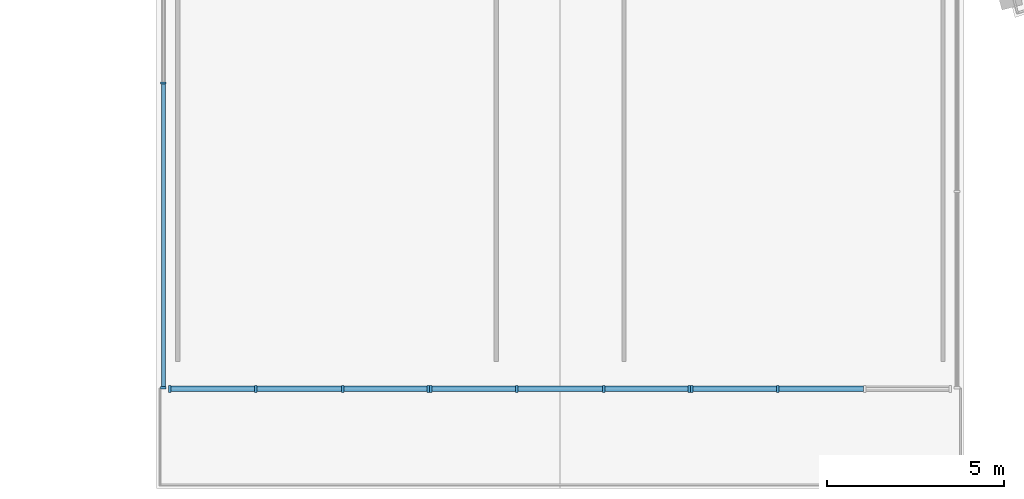
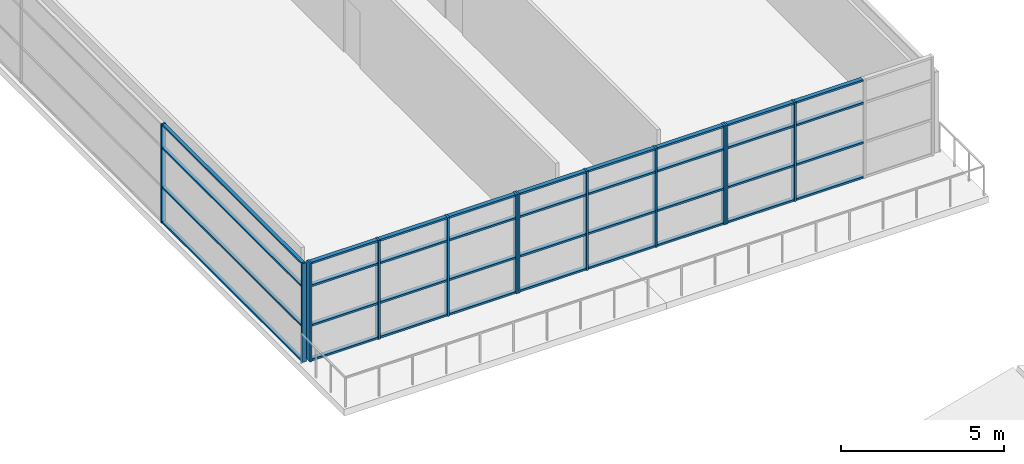
# One storey, part 11 of 83: 48 members, 4 elements without a shape of their own.
"""IFC4 building model written with IfcOpenShell, lengths in metres."""

import ifcopenshell
import ifcopenshell.guid

model = None  # the IFC model being written
_history = None  # IfcOwnerHistory: only IFC2X3 demands one
_inside = {}  # id of a spatial element -> (the spatial element, [elements in it])
_under = {}  # id of a project, library or spatial element -> (it, [spatial elements below it])
_declared = {}  # id of a project -> (the project, [libraries it declares])
_typed = {}  # id of a type object -> (the type object, [elements of that type])
_made_of = {}  # id of a material, layer set ... -> (it, [elements and type objects made of it])


def new_model(schema):
    """Start an empty IFC model of exactly this schema.

    Asked for "IFC4X3", IfcOpenShell would pick the latest addendum, in which some entities
    have other attributes; the version numbers below select the first issue.
    IFC2X3 requires an IfcOwnerHistory on every rooted entity: one is made here for all.
    """
    global model, _history
    if schema == "IFC4X3":
        model = ifcopenshell.file(schema_version=(4, 3, 0, 0))
    else:
        model = ifcopenshell.file(schema=schema)
    _inside.clear()
    _under.clear()
    _declared.clear()
    _typed.clear()
    _made_of.clear()
    _history = None
    if model.schema == "IFC2X3":
        org = make("IfcOrganization", Name="unknown")
        user = make(
            "IfcPersonAndOrganization",
            ThePerson=make("IfcPerson", FamilyName="unknown"),
            TheOrganization=org,
        )
        app = make(
            "IfcApplication",
            ApplicationDeveloper=org,
            Version="unknown",
            ApplicationFullName="unknown",
            ApplicationIdentifier="unknown",
        )
        _history = make(
            "IfcOwnerHistory",
            OwningUser=user,
            OwningApplication=app,
            ChangeAction="ADDED",
            CreationDate=0,
        )
    return model


def make(cls, **values):
    """One entity of the class cls with the attributes given. An attribute that is None is left unset."""
    return model.create_entity(
        cls, **{name: value for name, value in values.items() if value is not None}
    )


def rooted(cls, **values):
    """An entity with a GlobalId (a new one), such as an element, a storey or a relation."""
    return make(cls, GlobalId=ifcopenshell.guid.new(), OwnerHistory=_history, **values)


def si_unit(unit_type, name, prefix=None):
    """IfcSIUnit, for example si_unit("LENGTHUNIT", "METRE", prefix="MILLI")."""
    return make("IfcSIUnit", UnitType=unit_type, Prefix=prefix, Name=name)


def assignment(units):
    """IfcUnitAssignment: the units of a project."""
    return None if units is None else make("IfcUnitAssignment", Units=units)


def point(xyz):
    """IfcCartesianPoint."""
    return None if xyz is None else make("IfcCartesianPoint", Coordinates=xyz)


def direction(xyz):
    """IfcDirection."""
    return None if xyz is None else make("IfcDirection", DirectionRatios=xyz)


def frame(location, z_axis=None, x_axis=None):
    """IfcAxis2Placement3D, a coordinate frame: its origin and axes. An axis left out is left unset."""
    return make(
        "IfcAxis2Placement3D",
        Location=point(location),
        Axis=direction(z_axis),
        RefDirection=direction(x_axis),
    )


def frame_2d(location, x_axis=None):
    """IfcAxis2Placement2D, a coordinate frame in the plane: its origin and x axis."""
    return make(
        "IfcAxis2Placement2D", Location=point(location), RefDirection=direction(x_axis)
    )


def origin():
    """The frame at (0, 0, 0) with its axes left unset."""
    return frame((0.0, 0.0, 0.0))


def origin_2d():
    """The frame at (0, 0) in the plane with its x axis left unset."""
    return frame_2d((0.0, 0.0))


def place(relative_to, where):
    """IfcLocalPlacement: puts the frame where relative to a parent placement (None: the world)."""
    return make(
        "IfcLocalPlacement", PlacementRelTo=relative_to, RelativePlacement=where
    )


def context(
    kind, dimensions, precision=None, world=None, true_north=None, identifier=None
):
    """IfcGeometricRepresentationContext, for example the 3D "Model" context."""
    return make(
        "IfcGeometricRepresentationContext",
        ContextIdentifier=identifier,
        ContextType=kind,
        CoordinateSpaceDimension=dimensions,
        Precision=precision,
        WorldCoordinateSystem=world,
        TrueNorth=true_north,
    )


def subcontext(parent, identifier, kind, view, scale=None):
    """IfcGeometricRepresentationSubContext, for example "Body" below "Model"."""
    return make(
        "IfcGeometricRepresentationSubContext",
        ContextIdentifier=identifier,
        ContextType=kind,
        ParentContext=parent,
        TargetScale=scale,
        TargetView=view,
    )


def project(units=None, contexts=None):
    """IfcProject with its units and contexts."""
    return rooted(
        "IfcProject",
        Name="project",
        RepresentationContexts=contexts,
        UnitsInContext=assignment(units),
    )


def spatial(cls, under=None, at=None, **own):
    """A site, building, storey or space (cls), placed at a placement, below another one or the project."""
    s = rooted(cls, ObjectPlacement=at, **own)
    if under is not None:
        _under.setdefault(under.id(), (under, []))[1].append(s)
    return s


def profile(cls, at=None, kind="AREA", **sizes):
    """A parametric profile (cls). Its sizes go by their IFC names, for example OverallWidth=200.0."""
    return make(cls, ProfileType=kind, Position=at, **sizes)


def rectangle(**sizes):
    """IfcRectangleProfileDef."""
    return profile("IfcRectangleProfileDef", **sizes)


def extrude(swept, where, along, depth):
    """IfcExtrudedAreaSolid: the profile swept, set in the frame where, extruded along a direction by depth."""
    return make(
        "IfcExtrudedAreaSolid",
        SweptArea=swept,
        Position=where,
        ExtrudedDirection=direction(along),
        Depth=depth,
    )


def shape(context_of_items, identifier, shape_type, items):
    """IfcShapeRepresentation: the items that make up one representation, for example the "Body"."""
    return make(
        "IfcShapeRepresentation",
        ContextOfItems=context_of_items,
        RepresentationIdentifier=identifier,
        RepresentationType=shape_type,
        Items=items,
    )


def material(Name=None, Category=None):
    """IfcMaterial."""
    return make("IfcMaterial", Name=Name, Category=Category)


def material_profile(
    of_material, cross_section, Name=None, Category=None, Priority=None
):
    """IfcMaterialProfile: a cross section and its material."""
    return make(
        "IfcMaterialProfile",
        Name=Name,
        Material=of_material,
        Profile=cross_section,
        Priority=Priority,
        Category=Category,
    )


def profile_set(profiles, Name=None, composite=None):
    """IfcMaterialProfileSet."""
    return make(
        "IfcMaterialProfileSet",
        Name=Name,
        MaterialProfiles=profiles,
        CompositeProfile=composite,
    )


def made_of(thing, what):
    """Note that an element or type object is made of a material, layer set ...; save() writes the relation."""
    if what is not None:
        _made_of.setdefault(what.id(), (what, []))[1].append(thing)
    return thing


def type_object(cls, material=None, **own):
    """A type object (cls), such as IfcWallType, which elements share."""
    return made_of(rooted(cls, **own), material)


def element(
    cls,
    number,
    at=None,
    inside=None,
    cuts=None,
    type_object=None,
    material=None,
    context=None,
    identifier="Body",
    shape_type=None,
    held_by="IfcProductDefinitionShape",
    body=None,
    shapes=None,
    **own,
):
    """One element of the class cls, such as IfcWall. Its Tag is "e" and its number.

    at: its placement. inside: the storey or other place that contains it. cuts: it is an
    opening in that element (IfcRelVoidsElement). A single representation is given by context,
    identifier, shape_type and body (its items); several are given by shapes. held_by: the class
    of the entity that holds the representations. save() writes the other relations.
    """
    e = rooted(cls, Tag="e%d" % number, ObjectPlacement=at, **own)
    if body is not None:
        shapes = [shape(context, identifier, shape_type, body)]
    if shapes is not None:
        e.Representation = make(held_by, Representations=shapes)
    if inside is not None:
        _inside.setdefault(inside.id(), (inside, []))[1].append(e)
    if cuts is not None:
        rooted(
            "IfcRelVoidsElement", RelatingBuildingElement=cuts, RelatedOpeningElement=e
        )
    if type_object is not None:
        _typed.setdefault(type_object.id(), (type_object, []))[1].append(e)
    return made_of(e, material)


def aggregate(whole, parts):
    """IfcRelAggregates: a whole, such as a stair, and the parts it consists of."""
    return rooted("IfcRelAggregates", RelatingObject=whole, RelatedObjects=parts)


def save(model, path):
    """Write the relations noted so far, then the file.

    IfcRelAggregates (storeys below a building ...), IfcRelContainedInSpatialStructure (elements
    in a storey), IfcRelDefinesByType, IfcRelAssociatesMaterial and IfcRelDeclares: one each for
    every whole, place, type object, material and project.
    """
    for whole, parts in _under.values():
        aggregate(whole, parts)
    for where, things in _inside.values():
        rooted(
            "IfcRelContainedInSpatialStructure",
            RelatedElements=things,
            RelatingStructure=where,
        )
    for kind, things in _typed.values():
        rooted("IfcRelDefinesByType", RelatedObjects=things, RelatingType=kind)
    for what, things in _made_of.values():
        rooted("IfcRelAssociatesMaterial", RelatedObjects=things, RelatingMaterial=what)
    for by, libraries in _declared.values():
        rooted("IfcRelDeclares", RelatingContext=by, RelatedDefinitions=libraries)
    model.write(path)


model = new_model("IFC4")

# Units and contexts
model_context = context("Model", 3, precision=1e-05, world=origin(), true_north=direction((0.0, 1.0)))
body_context = subcontext(model_context, "Body", "Model", "MODEL_VIEW")
ifc_project = project(units=[si_unit("LENGTHUNIT", "METRE"), si_unit("AREAUNIT", "SQUARE_METRE"), si_unit("VOLUMEUNIT", "CUBIC_METRE"), si_unit("PLANEANGLEUNIT", "RADIAN"), si_unit("MASSUNIT", "GRAM", prefix="KILO")], contexts=[model_context])

# Site, building, storey
site_placement = place(None, origin())
site = spatial("IfcSite", under=ifc_project, at=site_placement, CompositionType="ELEMENT")
building_placement = place(site_placement, origin())
building = spatial("IfcBuilding", under=site, at=building_placement, Name="Saryqyr Civic Hall", CompositionType="ELEMENT")
storey_placement = place(building_placement, frame((0.0, 0.0, 9.14990234375)))
storey = spatial("IfcBuildingStorey", under=building, at=storey_placement, Name="L02", CompositionType="ELEMENT", Elevation=9.14990234375)

# Curtain wall, members
ifc_material_1 = material(Name="Anodised aluminium and triple low-E glass", Category="aluminium")
curtain_wall_type_1 = type_object("IfcCurtainWallType", Name="ENV-CW-STD-70", PredefinedType="NOTDEFINED", material=ifc_material_1)
curtain_wall_1_placement = place(storey_placement, origin())
curtain_wall_1 = element("IfcCurtainWall", 1, at=curtain_wall_1_placement, inside=storey, type_object=curtain_wall_type_1, Name="Curtain wall V2-VESTFLK-SW-L02", PredefinedType="NOTDEFINED")
ifc_material_2 = material(Name="Anodised aluminium", Category="aluminium")
ifc_material_profile_1 = material_profile(ifc_material_2, rectangle(XDim=0.06005859375, YDim=0.159912109375, at=origin_2d()), Name="ALU MULLION 60x160")
ifc_profile_set_1 = profile_set([ifc_material_profile_1], Name="Anodised aluminium")
member_type_1 = type_object("IfcMemberType", Name="ENV-CW-MUL-180", PredefinedType="MULLION", material=ifc_profile_set_1)
member_1_placement = place(storey_placement, frame((45.800048828125, 25.639892578125, 0.0), z_axis=(0.0, 0.0, 1.0), x_axis=(0.0, 1.0, 0.0)))
member_1 = element("IfcMember", 2, at=member_1_placement, type_object=member_type_1, Name="CW-70 mullion 1", PredefinedType="MULLION", context=body_context, shape_type="SweptSolid", body=[
    extrude(rectangle(XDim=0.06005859375, YDim=0.159912109375, at=origin_2d()), origin(), (0.0, 0.0, 1.0), 3.7001953125),
])
member_2_placement = place(storey_placement, frame((45.800048828125, 34.239990234375, 0.0), z_axis=(0.0, 0.0, 1.0), x_axis=(0.0, 1.0, 0.0)))
member_2 = element("IfcMember", 3, at=member_2_placement, type_object=member_type_1, Name="CW-70 mullion 2", PredefinedType="MULLION", context=body_context, shape_type="SweptSolid", body=[
    extrude(rectangle(XDim=0.06005859375, YDim=0.159912109375, at=origin_2d()), origin(), (0.0, 0.0, 1.0), 3.7001953125),
])

curtain_wall_type_2 = type_object("IfcCurtainWallType", Name="ENV-CW-HVY-69", PredefinedType="NOTDEFINED", material=ifc_material_1)
curtain_wall_2_placement = place(storey_placement, origin())
curtain_wall_2 = element("IfcCurtainWall", 4, at=curtain_wall_2_placement, inside=storey, type_object=curtain_wall_type_2, Name="Curtain wall V2-PORTAL-CW-S-L02-0", PredefinedType="NOTDEFINED")
ifc_material_profile_2 = material_profile(ifc_material_2, rectangle(XDim=0.070068359375, YDim=0.199951171875, at=origin_2d()), Name="ALU MULLION 70x200")
ifc_profile_set_2 = profile_set([ifc_material_profile_2], Name="Anodised aluminium")
member_type_2 = type_object("IfcMemberType", Name="ENV-CW-MUL-220", PredefinedType="MULLION", material=ifc_profile_set_2)
member_3_placement = place(storey_placement, frame((53.28173828125, 25.610107421875, 0.0), z_axis=(0.0, 0.0, 1.0), x_axis=(-1.0, 0.0, 0.0)))
member_3 = element("IfcMember", 5, at=member_3_placement, type_object=member_type_2, Name="CW-69 mullion 1", PredefinedType="MULLION", context=body_context, shape_type="SweptSolid", body=[
    extrude(rectangle(XDim=0.070068359375, YDim=0.199951171875, at=origin_2d()), origin(), (0.0, 0.0, 1.0), 3.7001953125),
])
member_4_placement = place(storey_placement, frame((50.861083984375, 25.610107421875, 0.0), z_axis=(0.0, 0.0, 1.0), x_axis=(-1.0, 0.0, 0.0)))
member_4 = element("IfcMember", 6, at=member_4_placement, type_object=member_type_2, Name="CW-69 mullion 2", PredefinedType="MULLION", context=body_context, shape_type="SweptSolid", body=[
    extrude(rectangle(XDim=0.070068359375, YDim=0.199951171875, at=origin_2d()), origin(), (0.0, 0.0, 1.0), 3.7001953125),
])
member_5_placement = place(storey_placement, frame((48.405517578125, 25.610107421875, 0.0), z_axis=(0.0, 0.0, 1.0), x_axis=(-1.0, 0.0, 0.0)))
member_5 = element("IfcMember", 7, at=member_5_placement, type_object=member_type_2, Name="CW-69 mullion 3", PredefinedType="MULLION", context=body_context, shape_type="SweptSolid", body=[
    extrude(rectangle(XDim=0.070068359375, YDim=0.199951171875, at=origin_2d()), origin(), (0.0, 0.0, 1.0), 3.7001953125),
])
member_6_placement = place(storey_placement, frame((45.985107421875, 25.610107421875, 0.0), z_axis=(0.0, 0.0, 1.0), x_axis=(-1.0, 0.0, 0.0)))
member_6 = element("IfcMember", 8, at=member_6_placement, type_object=member_type_2, Name="CW-69 mullion 4", PredefinedType="MULLION", context=body_context, shape_type="SweptSolid", body=[
    extrude(rectangle(XDim=0.070068359375, YDim=0.199951171875, at=origin_2d()), origin(), (0.0, 0.0, 1.0), 3.7001953125),
])

curtain_wall_3_placement = place(storey_placement, origin())
curtain_wall_3 = element("IfcCurtainWall", 9, at=curtain_wall_3_placement, inside=storey, type_object=curtain_wall_type_2, Name="Curtain wall V2-PORTAL-CW-S-L02-1", PredefinedType="NOTDEFINED")
member_7_placement = place(storey_placement, frame((60.648193359375, 25.610107421875, 0.0), z_axis=(0.0, 0.0, 1.0), x_axis=(-1.0, 0.0, 0.0)))
member_7 = element("IfcMember", 10, at=member_7_placement, type_object=member_type_2, Name="CW-69 mullion 1", PredefinedType="MULLION", context=body_context, shape_type="SweptSolid", body=[
    extrude(rectangle(XDim=0.070068359375, YDim=0.199951171875, at=origin_2d()), origin(), (0.0, 0.0, 1.0), 3.7001953125),
])
member_8_placement = place(storey_placement, frame((58.227783203125, 25.610107421875, 0.0), z_axis=(0.0, 0.0, 1.0), x_axis=(-1.0, 0.0, 0.0)))
member_8 = element("IfcMember", 11, at=member_8_placement, type_object=member_type_2, Name="CW-69 mullion 2", PredefinedType="MULLION", context=body_context, shape_type="SweptSolid", body=[
    extrude(rectangle(XDim=0.070068359375, YDim=0.199951171875, at=origin_2d()), origin(), (0.0, 0.0, 1.0), 3.7001953125),
])
member_9_placement = place(storey_placement, frame((55.772216796875, 25.610107421875, 0.0), z_axis=(0.0, 0.0, 1.0), x_axis=(-1.0, 0.0, 0.0)))
member_9 = element("IfcMember", 12, at=member_9_placement, type_object=member_type_2, Name="CW-69 mullion 3", PredefinedType="MULLION", context=body_context, shape_type="SweptSolid", body=[
    extrude(rectangle(XDim=0.070068359375, YDim=0.199951171875, at=origin_2d()), origin(), (0.0, 0.0, 1.0), 3.7001953125),
])
member_10_placement = place(storey_placement, frame((53.351806640625, 25.610107421875, 0.0), z_axis=(0.0, 0.0, 1.0), x_axis=(-1.0, 0.0, 0.0)))
member_10 = element("IfcMember", 13, at=member_10_placement, type_object=member_type_2, Name="CW-69 mullion 4", PredefinedType="MULLION", context=body_context, shape_type="SweptSolid", body=[
    extrude(rectangle(XDim=0.070068359375, YDim=0.199951171875, at=origin_2d()), origin(), (0.0, 0.0, 1.0), 3.7001953125),
])

curtain_wall_4_placement = place(storey_placement, origin())
curtain_wall_4 = element("IfcCurtainWall", 14, at=curtain_wall_4_placement, inside=storey, type_object=curtain_wall_type_2, Name="Curtain wall V2-PORTAL-CW-S-L02-2", PredefinedType="NOTDEFINED")
member_11_placement = place(storey_placement, frame((63.138916015625, 25.610107421875, 0.0), z_axis=(0.0, 0.0, 1.0), x_axis=(-1.0, 0.0, 0.0)))
member_11 = element("IfcMember", 15, at=member_11_placement, type_object=member_type_2, Name="CW-69 mullion 3", PredefinedType="MULLION", context=body_context, shape_type="SweptSolid", body=[
    extrude(rectangle(XDim=0.070068359375, YDim=0.199951171875, at=origin_2d()), origin(), (0.0, 0.0, 1.0), 3.7001953125),
])
member_12_placement = place(storey_placement, frame((60.71826171875, 25.610107421875, 0.0), z_axis=(0.0, 0.0, 1.0), x_axis=(-1.0, 0.0, 0.0)))
member_12 = element("IfcMember", 16, at=member_12_placement, type_object=member_type_2, Name="CW-69 mullion 4", PredefinedType="MULLION", context=body_context, shape_type="SweptSolid", body=[
    extrude(rectangle(XDim=0.070068359375, YDim=0.199951171875, at=origin_2d()), origin(), (0.0, 0.0, 1.0), 3.7001953125),
])

# Member
ifc_material_profile_3 = material_profile(ifc_material_2, rectangle(XDim=0.1201171875, YDim=0.06005859375, at=origin_2d()), Name="ALU TRANSOM 120x60")
ifc_profile_set_3 = profile_set([ifc_material_profile_3], Name="Anodised aluminium")
member_type_3 = type_object("IfcMemberType", Name="ENV-CW-TRN-150", PredefinedType="USERDEFINED", material=ifc_profile_set_3)
member_13_placement = place(storey_placement, frame((45.800048828125, 25.669921875, 0.030029296875), z_axis=(0.0, 1.0, 0.0), x_axis=(-1.0, 0.0, 0.0)))
member_13 = element("IfcMember", 17, at=member_13_placement, type_object=member_type_3, Name="CW-70 transom 1.1", ObjectType="TRANSOM", PredefinedType="USERDEFINED", context=body_context, shape_type="SweptSolid", body=[
    extrude(rectangle(XDim=0.1201171875, YDim=0.06005859375, at=origin_2d()), origin(), (0.0, 0.0, 1.0), 8.5400390625),
])

member_14_placement = place(storey_placement, frame((45.800048828125, 25.669921875, 1.33203125), z_axis=(0.0, 1.0, 0.0), x_axis=(-1.0, 0.0, 0.0)))
member_14 = element("IfcMember", 18, at=member_14_placement, type_object=member_type_3, Name="CW-70 transom 1.2", ObjectType="TRANSOM", PredefinedType="USERDEFINED", context=body_context, shape_type="SweptSolid", body=[
    extrude(rectangle(XDim=0.1201171875, YDim=0.06005859375, at=origin_2d()), origin(), (0.0, 0.0, 1.0), 8.5400390625),
])

member_15_placement = place(storey_placement, frame((45.800048828125, 25.669921875, 2.81201171875), z_axis=(0.0, 1.0, 0.0), x_axis=(-1.0, 0.0, 0.0)))
member_15 = element("IfcMember", 19, at=member_15_placement, type_object=member_type_3, Name="CW-70 transom 1.3", ObjectType="TRANSOM", PredefinedType="USERDEFINED", context=body_context, shape_type="SweptSolid", body=[
    extrude(rectangle(XDim=0.1201171875, YDim=0.06005859375, at=origin_2d()), origin(), (0.0, 0.0, 1.0), 8.5400390625),
])

member_16_placement = place(storey_placement, frame((45.800048828125, 25.669921875, 3.670166015625), z_axis=(0.0, 1.0, 0.0), x_axis=(-1.0, 0.0, 0.0)))
member_16 = element("IfcMember", 20, at=member_16_placement, type_object=member_type_3, Name="CW-70 transom 1.4", ObjectType="TRANSOM", PredefinedType="USERDEFINED", context=body_context, shape_type="SweptSolid", body=[
    extrude(rectangle(XDim=0.1201171875, YDim=0.06005859375, at=origin_2d()), origin(), (0.0, 0.0, 1.0), 8.5400390625),
])

aggregate(curtain_wall_1, [member_1, member_2, member_13, member_14, member_15, member_16])

ifc_material_profile_4 = material_profile(ifc_material_2, rectangle(XDim=0.14990234375, YDim=0.070068359375, at=origin_2d()), Name="ALU TRANSOM 150x70")
ifc_profile_set_4 = profile_set([ifc_material_profile_4], Name="Anodised aluminium")
member_type_4 = type_object("IfcMemberType", Name="ENV-CW-TRN-180", PredefinedType="USERDEFINED", material=ifc_profile_set_4)
member_17_placement = place(storey_placement, frame((53.24658203125, 25.610107421875, 0.03515625), z_axis=(-1.0, 0.0, 0.0), x_axis=(0.0, -1.0, 0.0)))
member_17 = element("IfcMember", 21, at=member_17_placement, type_object=member_type_4, Name="CW-69 transom 1.1", ObjectType="TRANSOM", PredefinedType="USERDEFINED", context=body_context, shape_type="SweptSolid", body=[
    extrude(rectangle(XDim=0.14990234375, YDim=0.070068359375, at=origin_2d()), origin(), (0.0, 0.0, 1.0), 2.350341796875),
])

member_18_placement = place(storey_placement, frame((53.24658203125, 25.610107421875, 1.33203125), z_axis=(-1.0, 0.0, 0.0), x_axis=(0.0, -1.0, 0.0)))
member_18 = element("IfcMember", 22, at=member_18_placement, type_object=member_type_4, Name="CW-69 transom 1.2", ObjectType="TRANSOM", PredefinedType="USERDEFINED", context=body_context, shape_type="SweptSolid", body=[
    extrude(rectangle(XDim=0.14990234375, YDim=0.070068359375, at=origin_2d()), origin(), (0.0, 0.0, 1.0), 2.350341796875),
])

member_19_placement = place(storey_placement, frame((53.24658203125, 25.610107421875, 2.81201171875), z_axis=(-1.0, 0.0, 0.0), x_axis=(0.0, -1.0, 0.0)))
member_19 = element("IfcMember", 23, at=member_19_placement, type_object=member_type_4, Name="CW-69 transom 1.3", ObjectType="TRANSOM", PredefinedType="USERDEFINED", context=body_context, shape_type="SweptSolid", body=[
    extrude(rectangle(XDim=0.14990234375, YDim=0.070068359375, at=origin_2d()), origin(), (0.0, 0.0, 1.0), 2.350341796875),
])

member_20_placement = place(storey_placement, frame((53.24658203125, 25.610107421875, 3.6650390625), z_axis=(-1.0, 0.0, 0.0), x_axis=(0.0, -1.0, 0.0)))
member_20 = element("IfcMember", 24, at=member_20_placement, type_object=member_type_4, Name="CW-69 transom 1.4", ObjectType="TRANSOM", PredefinedType="USERDEFINED", context=body_context, shape_type="SweptSolid", body=[
    extrude(rectangle(XDim=0.14990234375, YDim=0.070068359375, at=origin_2d()), origin(), (0.0, 0.0, 1.0), 2.350341796875),
])

member_21_placement = place(storey_placement, frame((50.826171875, 25.610107421875, 0.03515625), z_axis=(-1.0, 0.0, 0.0), x_axis=(0.0, -1.0, 0.0)))
member_21 = element("IfcMember", 25, at=member_21_placement, type_object=member_type_4, Name="CW-69 transom 2.1", ObjectType="TRANSOM", PredefinedType="USERDEFINED", context=body_context, shape_type="SweptSolid", body=[
    extrude(rectangle(XDim=0.14990234375, YDim=0.070068359375, at=origin_2d()), origin(), (0.0, 0.0, 1.0), 2.385498046875),
])

member_22_placement = place(storey_placement, frame((50.826171875, 25.610107421875, 1.33203125), z_axis=(-1.0, 0.0, 0.0), x_axis=(0.0, -1.0, 0.0)))
member_22 = element("IfcMember", 26, at=member_22_placement, type_object=member_type_4, Name="CW-69 transom 2.2", ObjectType="TRANSOM", PredefinedType="USERDEFINED", context=body_context, shape_type="SweptSolid", body=[
    extrude(rectangle(XDim=0.14990234375, YDim=0.070068359375, at=origin_2d()), origin(), (0.0, 0.0, 1.0), 2.385498046875),
])

member_23_placement = place(storey_placement, frame((50.826171875, 25.610107421875, 2.81201171875), z_axis=(-1.0, 0.0, 0.0), x_axis=(0.0, -1.0, 0.0)))
member_23 = element("IfcMember", 27, at=member_23_placement, type_object=member_type_4, Name="CW-69 transom 2.3", ObjectType="TRANSOM", PredefinedType="USERDEFINED", context=body_context, shape_type="SweptSolid", body=[
    extrude(rectangle(XDim=0.14990234375, YDim=0.070068359375, at=origin_2d()), origin(), (0.0, 0.0, 1.0), 2.385498046875),
])

member_24_placement = place(storey_placement, frame((50.826171875, 25.610107421875, 3.6650390625), z_axis=(-1.0, 0.0, 0.0), x_axis=(0.0, -1.0, 0.0)))
member_24 = element("IfcMember", 28, at=member_24_placement, type_object=member_type_4, Name="CW-69 transom 2.4", ObjectType="TRANSOM", PredefinedType="USERDEFINED", context=body_context, shape_type="SweptSolid", body=[
    extrude(rectangle(XDim=0.14990234375, YDim=0.070068359375, at=origin_2d()), origin(), (0.0, 0.0, 1.0), 2.385498046875),
])

member_25_placement = place(storey_placement, frame((48.37060546875, 25.610107421875, 0.03515625), z_axis=(-1.0, 0.0, 0.0), x_axis=(0.0, -1.0, 0.0)))
member_25 = element("IfcMember", 29, at=member_25_placement, type_object=member_type_4, Name="CW-69 transom 3.1", ObjectType="TRANSOM", PredefinedType="USERDEFINED", context=body_context, shape_type="SweptSolid", body=[
    extrude(rectangle(XDim=0.14990234375, YDim=0.070068359375, at=origin_2d()), origin(), (0.0, 0.0, 1.0), 2.3505859375),
])

member_26_placement = place(storey_placement, frame((48.37060546875, 25.610107421875, 1.33203125), z_axis=(-1.0, 0.0, 0.0), x_axis=(0.0, -1.0, 0.0)))
member_26 = element("IfcMember", 30, at=member_26_placement, type_object=member_type_4, Name="CW-69 transom 3.2", ObjectType="TRANSOM", PredefinedType="USERDEFINED", context=body_context, shape_type="SweptSolid", body=[
    extrude(rectangle(XDim=0.14990234375, YDim=0.070068359375, at=origin_2d()), origin(), (0.0, 0.0, 1.0), 2.3505859375),
])

member_27_placement = place(storey_placement, frame((48.37060546875, 25.610107421875, 2.81201171875), z_axis=(-1.0, 0.0, 0.0), x_axis=(0.0, -1.0, 0.0)))
member_27 = element("IfcMember", 31, at=member_27_placement, type_object=member_type_4, Name="CW-69 transom 3.3", ObjectType="TRANSOM", PredefinedType="USERDEFINED", context=body_context, shape_type="SweptSolid", body=[
    extrude(rectangle(XDim=0.14990234375, YDim=0.070068359375, at=origin_2d()), origin(), (0.0, 0.0, 1.0), 2.3505859375),
])

member_28_placement = place(storey_placement, frame((48.37060546875, 25.610107421875, 3.6650390625), z_axis=(-1.0, 0.0, 0.0), x_axis=(0.0, -1.0, 0.0)))
member_28 = element("IfcMember", 32, at=member_28_placement, type_object=member_type_4, Name="CW-69 transom 3.4", ObjectType="TRANSOM", PredefinedType="USERDEFINED", context=body_context, shape_type="SweptSolid", body=[
    extrude(rectangle(XDim=0.14990234375, YDim=0.070068359375, at=origin_2d()), origin(), (0.0, 0.0, 1.0), 2.3505859375),
])

aggregate(curtain_wall_2, [member_3, member_4, member_5, member_6, member_17, member_18, member_19, member_20, member_21, member_22, member_23, member_24, member_25, member_26, member_27, member_28])

member_29_placement = place(storey_placement, frame((60.61328125, 25.610107421875, 0.03515625), z_axis=(-1.0, 0.0, 0.0), x_axis=(0.0, -1.0, 0.0)))
member_29 = element("IfcMember", 33, at=member_29_placement, type_object=member_type_4, Name="CW-69 transom 1.1", ObjectType="TRANSOM", PredefinedType="USERDEFINED", context=body_context, shape_type="SweptSolid", body=[
    extrude(rectangle(XDim=0.14990234375, YDim=0.070068359375, at=origin_2d()), origin(), (0.0, 0.0, 1.0), 2.3505859375),
])

member_30_placement = place(storey_placement, frame((60.61328125, 25.610107421875, 1.33203125), z_axis=(-1.0, 0.0, 0.0), x_axis=(0.0, -1.0, 0.0)))
member_30 = element("IfcMember", 34, at=member_30_placement, type_object=member_type_4, Name="CW-69 transom 1.2", ObjectType="TRANSOM", PredefinedType="USERDEFINED", context=body_context, shape_type="SweptSolid", body=[
    extrude(rectangle(XDim=0.14990234375, YDim=0.070068359375, at=origin_2d()), origin(), (0.0, 0.0, 1.0), 2.3505859375),
])

member_31_placement = place(storey_placement, frame((60.61328125, 25.610107421875, 2.81201171875), z_axis=(-1.0, 0.0, 0.0), x_axis=(0.0, -1.0, 0.0)))
member_31 = element("IfcMember", 35, at=member_31_placement, type_object=member_type_4, Name="CW-69 transom 1.3", ObjectType="TRANSOM", PredefinedType="USERDEFINED", context=body_context, shape_type="SweptSolid", body=[
    extrude(rectangle(XDim=0.14990234375, YDim=0.070068359375, at=origin_2d()), origin(), (0.0, 0.0, 1.0), 2.3505859375),
])

member_32_placement = place(storey_placement, frame((60.61328125, 25.610107421875, 3.6650390625), z_axis=(-1.0, 0.0, 0.0), x_axis=(0.0, -1.0, 0.0)))
member_32 = element("IfcMember", 36, at=member_32_placement, type_object=member_type_4, Name="CW-69 transom 1.4", ObjectType="TRANSOM", PredefinedType="USERDEFINED", context=body_context, shape_type="SweptSolid", body=[
    extrude(rectangle(XDim=0.14990234375, YDim=0.070068359375, at=origin_2d()), origin(), (0.0, 0.0, 1.0), 2.3505859375),
])

member_33_placement = place(storey_placement, frame((58.19287109375, 25.610107421875, 0.03515625), z_axis=(-1.0, 0.0, 0.0), x_axis=(0.0, -1.0, 0.0)))
member_33 = element("IfcMember", 37, at=member_33_placement, type_object=member_type_4, Name="CW-69 transom 2.1", ObjectType="TRANSOM", PredefinedType="USERDEFINED", context=body_context, shape_type="SweptSolid", body=[
    extrude(rectangle(XDim=0.14990234375, YDim=0.070068359375, at=origin_2d()), origin(), (0.0, 0.0, 1.0), 2.3857421875),
])

member_34_placement = place(storey_placement, frame((58.19287109375, 25.610107421875, 1.33203125), z_axis=(-1.0, 0.0, 0.0), x_axis=(0.0, -1.0, 0.0)))
member_34 = element("IfcMember", 38, at=member_34_placement, type_object=member_type_4, Name="CW-69 transom 2.2", ObjectType="TRANSOM", PredefinedType="USERDEFINED", context=body_context, shape_type="SweptSolid", body=[
    extrude(rectangle(XDim=0.14990234375, YDim=0.070068359375, at=origin_2d()), origin(), (0.0, 0.0, 1.0), 2.3857421875),
])

member_35_placement = place(storey_placement, frame((58.19287109375, 25.610107421875, 2.81201171875), z_axis=(-1.0, 0.0, 0.0), x_axis=(0.0, -1.0, 0.0)))
member_35 = element("IfcMember", 39, at=member_35_placement, type_object=member_type_4, Name="CW-69 transom 2.3", ObjectType="TRANSOM", PredefinedType="USERDEFINED", context=body_context, shape_type="SweptSolid", body=[
    extrude(rectangle(XDim=0.14990234375, YDim=0.070068359375, at=origin_2d()), origin(), (0.0, 0.0, 1.0), 2.3857421875),
])

member_36_placement = place(storey_placement, frame((58.19287109375, 25.610107421875, 3.6650390625), z_axis=(-1.0, 0.0, 0.0), x_axis=(0.0, -1.0, 0.0)))
member_36 = element("IfcMember", 40, at=member_36_placement, type_object=member_type_4, Name="CW-69 transom 2.4", ObjectType="TRANSOM", PredefinedType="USERDEFINED", context=body_context, shape_type="SweptSolid", body=[
    extrude(rectangle(XDim=0.14990234375, YDim=0.070068359375, at=origin_2d()), origin(), (0.0, 0.0, 1.0), 2.3857421875),
])

member_37_placement = place(storey_placement, frame((55.7373046875, 25.610107421875, 0.03515625), z_axis=(-1.0, 0.0, 0.0), x_axis=(0.0, -1.0, 0.0)))
member_37 = element("IfcMember", 41, at=member_37_placement, type_object=member_type_4, Name="CW-69 transom 3.1", ObjectType="TRANSOM", PredefinedType="USERDEFINED", context=body_context, shape_type="SweptSolid", body=[
    extrude(rectangle(XDim=0.14990234375, YDim=0.070068359375, at=origin_2d()), origin(), (0.0, 0.0, 1.0), 2.3505859375),
])

member_38_placement = place(storey_placement, frame((55.7373046875, 25.610107421875, 1.33203125), z_axis=(-1.0, 0.0, 0.0), x_axis=(0.0, -1.0, 0.0)))
member_38 = element("IfcMember", 42, at=member_38_placement, type_object=member_type_4, Name="CW-69 transom 3.2", ObjectType="TRANSOM", PredefinedType="USERDEFINED", context=body_context, shape_type="SweptSolid", body=[
    extrude(rectangle(XDim=0.14990234375, YDim=0.070068359375, at=origin_2d()), origin(), (0.0, 0.0, 1.0), 2.3505859375),
])

member_39_placement = place(storey_placement, frame((55.7373046875, 25.610107421875, 2.81201171875), z_axis=(-1.0, 0.0, 0.0), x_axis=(0.0, -1.0, 0.0)))
member_39 = element("IfcMember", 43, at=member_39_placement, type_object=member_type_4, Name="CW-69 transom 3.3", ObjectType="TRANSOM", PredefinedType="USERDEFINED", context=body_context, shape_type="SweptSolid", body=[
    extrude(rectangle(XDim=0.14990234375, YDim=0.070068359375, at=origin_2d()), origin(), (0.0, 0.0, 1.0), 2.3505859375),
])

member_40_placement = place(storey_placement, frame((55.7373046875, 25.610107421875, 3.6650390625), z_axis=(-1.0, 0.0, 0.0), x_axis=(0.0, -1.0, 0.0)))
member_40 = element("IfcMember", 44, at=member_40_placement, type_object=member_type_4, Name="CW-69 transom 3.4", ObjectType="TRANSOM", PredefinedType="USERDEFINED", context=body_context, shape_type="SweptSolid", body=[
    extrude(rectangle(XDim=0.14990234375, YDim=0.070068359375, at=origin_2d()), origin(), (0.0, 0.0, 1.0), 2.3505859375),
])

aggregate(curtain_wall_3, [member_7, member_8, member_9, member_10, member_29, member_30, member_31, member_32, member_33, member_34, member_35, member_36, member_37, member_38, member_39, member_40])

member_41_placement = place(storey_placement, frame((65.559326171875, 25.610107421875, 0.03515625), z_axis=(-1.0, 0.0, 0.0), x_axis=(0.0, -1.0, 0.0)))
member_41 = element("IfcMember", 45, at=member_41_placement, type_object=member_type_4, Name="CW-69 transom 2.1", ObjectType="TRANSOM", PredefinedType="USERDEFINED", context=body_context, shape_type="SweptSolid", body=[
    extrude(rectangle(XDim=0.14990234375, YDim=0.070068359375, at=origin_2d()), origin(), (0.0, 0.0, 1.0), 2.385498046875),
])

member_42_placement = place(storey_placement, frame((65.559326171875, 25.610107421875, 1.33203125), z_axis=(-1.0, 0.0, 0.0), x_axis=(0.0, -1.0, 0.0)))
member_42 = element("IfcMember", 46, at=member_42_placement, type_object=member_type_4, Name="CW-69 transom 2.2", ObjectType="TRANSOM", PredefinedType="USERDEFINED", context=body_context, shape_type="SweptSolid", body=[
    extrude(rectangle(XDim=0.14990234375, YDim=0.070068359375, at=origin_2d()), origin(), (0.0, 0.0, 1.0), 2.385498046875),
])

member_43_placement = place(storey_placement, frame((65.559326171875, 25.610107421875, 2.81201171875), z_axis=(-1.0, 0.0, 0.0), x_axis=(0.0, -1.0, 0.0)))
member_43 = element("IfcMember", 47, at=member_43_placement, type_object=member_type_4, Name="CW-69 transom 2.3", ObjectType="TRANSOM", PredefinedType="USERDEFINED", context=body_context, shape_type="SweptSolid", body=[
    extrude(rectangle(XDim=0.14990234375, YDim=0.070068359375, at=origin_2d()), origin(), (0.0, 0.0, 1.0), 2.385498046875),
])

member_44_placement = place(storey_placement, frame((65.559326171875, 25.610107421875, 3.6650390625), z_axis=(-1.0, 0.0, 0.0), x_axis=(0.0, -1.0, 0.0)))
member_44 = element("IfcMember", 48, at=member_44_placement, type_object=member_type_4, Name="CW-69 transom 2.4", ObjectType="TRANSOM", PredefinedType="USERDEFINED", context=body_context, shape_type="SweptSolid", body=[
    extrude(rectangle(XDim=0.14990234375, YDim=0.070068359375, at=origin_2d()), origin(), (0.0, 0.0, 1.0), 2.385498046875),
])

member_45_placement = place(storey_placement, frame((63.103759765625, 25.610107421875, 0.03515625), z_axis=(-1.0, 0.0, 0.0), x_axis=(0.0, -1.0, 0.0)))
member_45 = element("IfcMember", 49, at=member_45_placement, type_object=member_type_4, Name="CW-69 transom 3.1", ObjectType="TRANSOM", PredefinedType="USERDEFINED", context=body_context, shape_type="SweptSolid", body=[
    extrude(rectangle(XDim=0.14990234375, YDim=0.070068359375, at=origin_2d()), origin(), (0.0, 0.0, 1.0), 2.350341796875),
])

member_46_placement = place(storey_placement, frame((63.103759765625, 25.610107421875, 1.33203125), z_axis=(-1.0, 0.0, 0.0), x_axis=(0.0, -1.0, 0.0)))
member_46 = element("IfcMember", 50, at=member_46_placement, type_object=member_type_4, Name="CW-69 transom 3.2", ObjectType="TRANSOM", PredefinedType="USERDEFINED", context=body_context, shape_type="SweptSolid", body=[
    extrude(rectangle(XDim=0.14990234375, YDim=0.070068359375, at=origin_2d()), origin(), (0.0, 0.0, 1.0), 2.350341796875),
])

member_47_placement = place(storey_placement, frame((63.103759765625, 25.610107421875, 2.81201171875), z_axis=(-1.0, 0.0, 0.0), x_axis=(0.0, -1.0, 0.0)))
member_47 = element("IfcMember", 51, at=member_47_placement, type_object=member_type_4, Name="CW-69 transom 3.3", ObjectType="TRANSOM", PredefinedType="USERDEFINED", context=body_context, shape_type="SweptSolid", body=[
    extrude(rectangle(XDim=0.14990234375, YDim=0.070068359375, at=origin_2d()), origin(), (0.0, 0.0, 1.0), 2.350341796875),
])

member_48_placement = place(storey_placement, frame((63.103759765625, 25.610107421875, 3.6650390625), z_axis=(-1.0, 0.0, 0.0), x_axis=(0.0, -1.0, 0.0)))
member_48 = element("IfcMember", 52, at=member_48_placement, type_object=member_type_4, Name="CW-69 transom 3.4", ObjectType="TRANSOM", PredefinedType="USERDEFINED", context=body_context, shape_type="SweptSolid", body=[
    extrude(rectangle(XDim=0.14990234375, YDim=0.070068359375, at=origin_2d()), origin(), (0.0, 0.0, 1.0), 2.350341796875),
])

aggregate(curtain_wall_4, [member_11, member_12, member_41, member_42, member_43, member_44, member_45, member_46, member_47, member_48])

save(model, "model.ifc")
